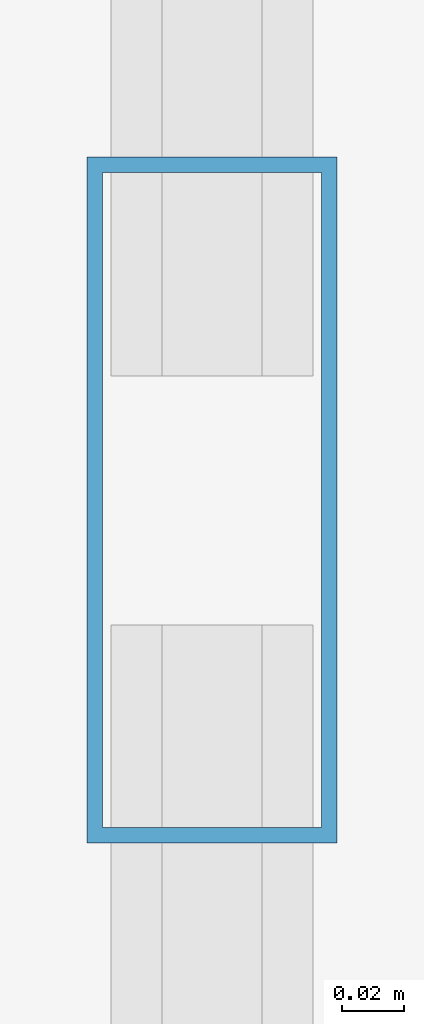
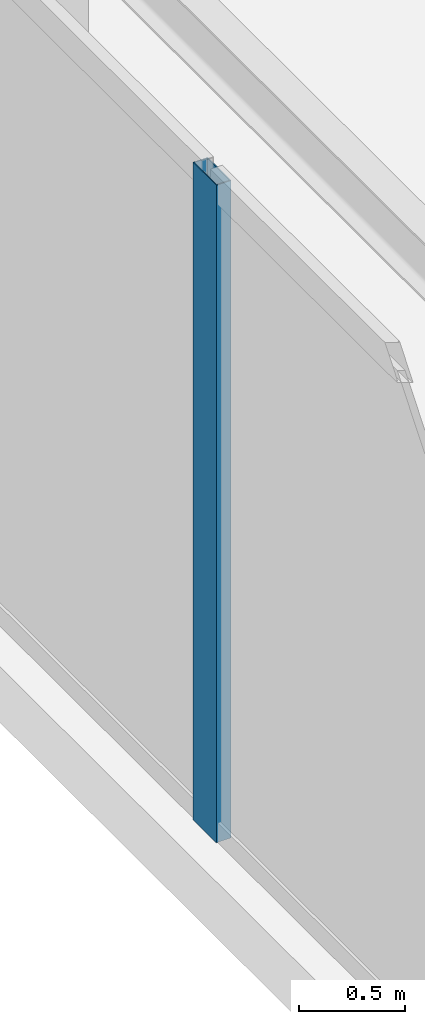
# One storey, part 8 of 24: 1 member, 1 element without a shape of its own.
"""IFC4 building model written with IfcOpenShell, lengths in metres."""

from ifc_helpers import new_model, si_unit, direction, frame, origin, origin_2d, place, context, subcontext, project, spatial, hollow_rectangle, extrude, material, layer, layer_set, material_profile, profile_set, type_object, element, aggregate, save


model = new_model("IFC4")

# Units and contexts
model_context = context("Model", 3, precision=1e-05, world=origin(), true_north=direction((0.0, 1.0)))
body_context = subcontext(model_context, "Body", "Model", "MODEL_VIEW")
ifc_project = project(units=[si_unit("LENGTHUNIT", "METRE"), si_unit("AREAUNIT", "SQUARE_METRE"), si_unit("VOLUMEUNIT", "CUBIC_METRE"), si_unit("PLANEANGLEUNIT", "RADIAN"), si_unit("MASSUNIT", "GRAM", prefix="KILO")], contexts=[model_context])

# Site, building, storey
site_placement = place(None, origin())
site = spatial("IfcSite", under=ifc_project, at=site_placement, CompositionType="ELEMENT")
building_placement = place(site_placement, origin())
building = spatial("IfcBuilding", under=site, at=building_placement, Name="Qobustan Lattice House", CompositionType="ELEMENT")
storey_placement = place(building_placement, frame((0.0, 0.0, 261.800048828125)))
storey = spatial("IfcBuildingStorey", under=building, at=storey_placement, Name="L74", CompositionType="ELEMENT", Elevation=261.800048828125)

# Curtain wall, member
ifc_material_1 = material(Name="Anodised aluminium and low-E glazing", Category="aluminium")
ifc_layer = layer(ifc_material_1, 0.219970703125)
ifc_layer_set = layer_set([ifc_layer], Name="Anodised aluminium and low-E glazing")
curtain_wall_type = type_object("IfcCurtainWallType", Name="CW-OBS-01", PredefinedType="USERDEFINED", material=ifc_layer_set)
curtain_wall_placement = place(storey_placement, origin())
curtain_wall = element("IfcCurtainWall", 1, at=curtain_wall_placement, inside=storey, type_object=curtain_wall_type, Name="L74 W panoramic observation curtain wall", ObjectType="CURTAIN WALL", PredefinedType="USERDEFINED")
ifc_material_2 = material(Name="Anodised aluminium EN AW-6063 T6", Category="aluminium")
ifc_material_profile = material_profile(ifc_material_2, hollow_rectangle(XDim=0.080078125, YDim=0.219970703125, WallThickness=0.0048828125, at=origin_2d()), Name="CWM-220x80")
ifc_profile_set = profile_set([ifc_material_profile], Name="Anodised aluminium EN AW-6063 T6")
member_type = type_object("IfcMemberType", Name="CWM-MAIN-220", PredefinedType="MULLION", material=ifc_profile_set)
member_placement = place(storey_placement, frame((-24.0, 0.10009765625, 0.0), z_axis=(0.0, 0.0, 1.0), x_axis=(-1.0, 0.0, 0.0)))
member = element("IfcMember", 2, at=member_placement, type_object=member_type, Name="CW-OB mullion 4", PredefinedType="MULLION", context=body_context, shape_type="SweptSolid", body=[
    extrude(hollow_rectangle(XDim=0.080078125, YDim=0.219970703125, WallThickness=0.0048828125, at=origin_2d()), origin(), (0.0, 0.0, 1.0), 3.780029296875),
])
aggregate(curtain_wall, [member])

save(model, "model.ifc")
